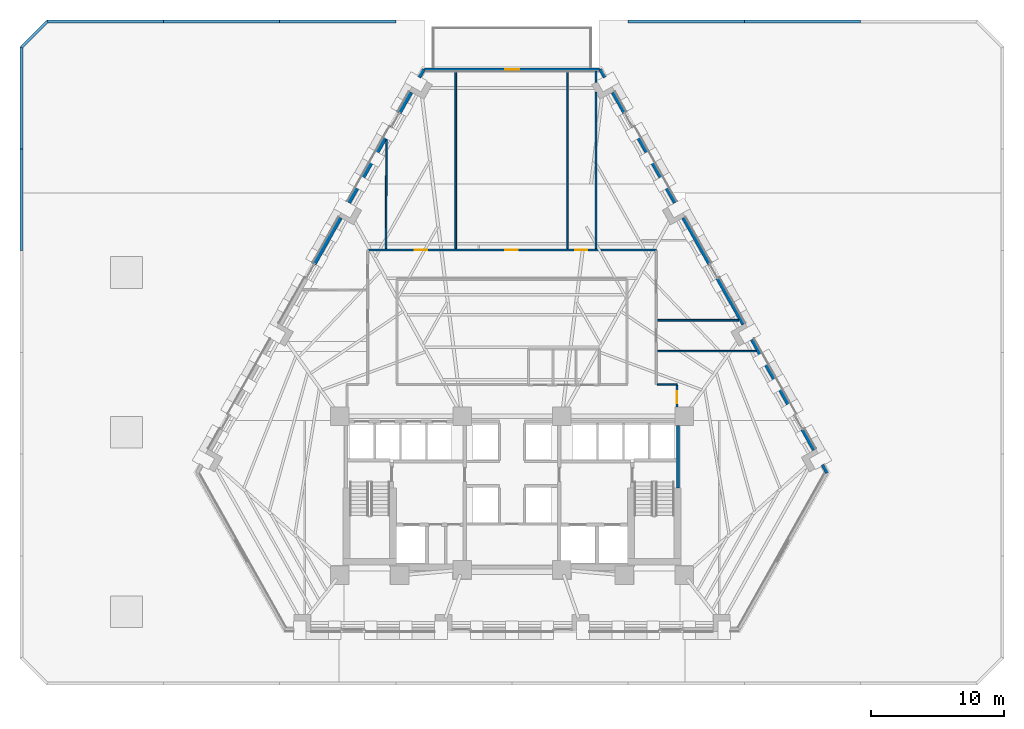
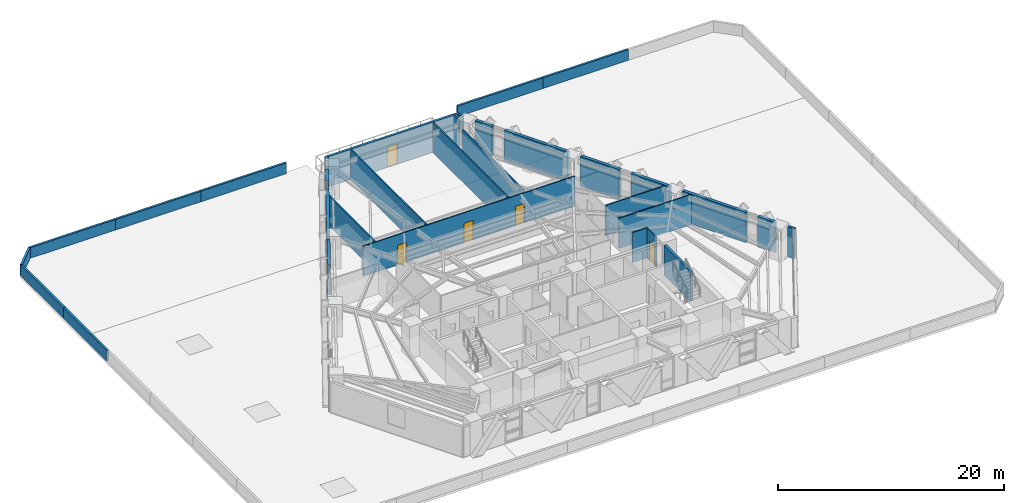
# One storey, part 10 of 14: 32 walls, 5 doors, 5 openings.
"""IFC4 building model written with IfcOpenShell, lengths in metres."""

from ifc_helpers import new_model, si_unit, direction, frame, frame_2d, origin, place, context, subcontext, project, spatial, rectangle, extrude, material, layer, layer_set, type_object, element, fill, save


model = new_model("IFC4")

# Units and contexts
model_context = context("Model", 3, precision=1e-05, world=origin(), true_north=direction((0.0, 1.0)))
body_context = subcontext(model_context, "Body", "Model", "MODEL_VIEW")
ifc_project = project(units=[si_unit("LENGTHUNIT", "METRE"), si_unit("AREAUNIT", "SQUARE_METRE"), si_unit("VOLUMEUNIT", "CUBIC_METRE"), si_unit("PLANEANGLEUNIT", "RADIAN"), si_unit("MASSUNIT", "GRAM", prefix="KILO")], contexts=[model_context])

# Site, building, storey
site_placement = place(None, origin())
site = spatial("IfcSite", under=ifc_project, at=site_placement, CompositionType="ELEMENT")
building_placement = place(site_placement, origin())
building = spatial("IfcBuilding", under=site, at=building_placement, Name="Quenlor Broadcast Tower", CompositionType="ELEMENT")
storey_placement = place(building_placement, frame((0.0, 0.0, 27.60009765625)))
storey = spatial("IfcBuildingStorey", under=building, at=storey_placement, Name="L06", CompositionType="ELEMENT", Elevation=27.60009765625)

# Walls
ifc_material_1 = material(Name="Concrete C40/50", Category="concrete")
ifc_layer_1 = layer(ifc_material_1, 0.25)
ifc_layer_set_1 = layer_set([ifc_layer_1], Name="Fire Rated Concrete C40/50 Core Wall 250")
wall_type_1 = type_object("IfcWallType", Name="Fire Rated Concrete C40/50 Core Wall 250", PredefinedType="PARTITIONING", material=ifc_layer_set_1)
wall_1_placement = place(storey_placement, frame((12.47998046875, -10.179931640625, 0.0), z_axis=(0.0, 0.0, 1.0), x_axis=(0.0, 1.0, 0.0)))
element("IfcWall", 1, at=wall_1_placement, inside=storey, type_object=wall_type_1, Name="L06 Interior Wall CW-ST2-E2", PredefinedType="PARTITIONING", context=body_context, shape_type="SweptSolid", body=[
    extrude(rectangle(XDim=4.677978515625, YDim=0.25, at=frame_2d((2.3388671875, 0.0))), origin(), (0.0, 0.0, 1.0), 3.25),
])
ifc_material_2 = material(Name="Precast concrete C40/50", Category="concrete")
ifc_layer_2 = layer(ifc_material_2, 0.219970703125)
ifc_layer_set_2 = layer_set([ifc_layer_2], Name="Podium Roof Precast Concrete C40/50 Parapet Wall 220")
wall_type_2 = type_object("IfcWallType", Name="Podium Roof Precast Concrete C40/50 Parapet Wall 220", PredefinedType="PARAPET", material=ifc_layer_set_2)
for number, where, z_axis, x_axis, name in (
    (2, (-36.889892578125, 7.651611328125, 0.0), (0.0, 0.0, 1.0), (0.0, 1.0, 0.0), "L06 Roof Parapet 6"),
    (3, (-36.889892578125, 15.302978515625, 0.0), (0.0, 0.0, 1.0), (0.0, 1.0, 0.0), "L06 Roof Parapet 7"),
):
    element("IfcWall", number, at=place(storey_placement, frame(where, z_axis=z_axis, x_axis=x_axis)), inside=storey, type_object=wall_type_2, Name=name, PredefinedType="PARAPET", context=body_context, shape_type="SweptSolid", body=[
        extrude(rectangle(XDim=7.6513671875, YDim=0.219970703125, at=frame_2d((3.82568359375, 0.0))), origin(), (0.0, 0.0, 1.0), 1.14990234375),
    ])
wall_2_placement = place(storey_placement, frame((-36.889892578125, 22.954345703125, 0.0), z_axis=(0.0, 0.0, 1.0), x_axis=(0.707106781187, 0.707106781187, 0.0)))
element("IfcWall", 4, at=wall_2_placement, inside=storey, type_object=wall_type_2, Name="L06 Roof Parapet 8", PredefinedType="PARAPET", context=body_context, shape_type="SweptSolid", body=[
    extrude(rectangle(XDim=2.7373046875, YDim=0.219970703125, at=frame_2d((1.36865234375, 0.0))), origin(), (0.0, 0.0, 1.0), 1.14990234375),
])
for number, where, z_axis, x_axis, name in (
    (5, (-34.954345703125, 24.889892578125, 0.0), (0.0, 0.0, 1.0), (1.0, 0.0, 0.0), "L06 Roof Parapet 9"),
    (6, (-26.2158203125, 24.889892578125, 0.0), (0.0, 0.0, 1.0), (1.0, 0.0, 0.0), "L06 Roof Parapet 10"),
):
    element("IfcWall", number, at=place(storey_placement, frame(where, z_axis=z_axis, x_axis=x_axis)), inside=storey, type_object=wall_type_2, Name=name, PredefinedType="PARAPET", context=body_context, shape_type="SweptSolid", body=[
        extrude(rectangle(XDim=8.738525390625, YDim=0.219970703125, at=frame_2d((4.369140625, 0.0))), origin(), (0.0, 0.0, 1.0), 1.14990234375),
    ])
for number, where, z_axis, x_axis, name in (
    (7, (-17.477294921875, 24.889892578125, 0.0), (0.0, 0.0, 1.0), (1.0, 0.0, 0.0), "L06 Roof Parapet 11"),
    (8, (8.738525390625, 24.889892578125, 0.0), (0.0, 0.0, 1.0), (1.0, 0.0, 0.0), "L06 Roof Parapet 12"),
):
    element("IfcWall", number, at=place(storey_placement, frame(where, z_axis=z_axis, x_axis=x_axis)), inside=storey, type_object=wall_type_2, Name=name, PredefinedType="PARAPET", context=body_context, shape_type="SweptSolid", body=[
        extrude(rectangle(XDim=8.73876953125, YDim=0.219970703125, at=frame_2d((4.369384765625, 0.0))), origin(), (0.0, 0.0, 1.0), 1.14990234375),
    ])
wall_3_placement = place(storey_placement, frame((17.477294921875, 24.889892578125, 0.0), z_axis=(0.0, 0.0, 1.0), x_axis=(1.0, 0.0, 0.0)))
element("IfcWall", 9, at=wall_3_placement, inside=storey, type_object=wall_type_2, Name="L06 Roof Parapet 13", PredefinedType="PARAPET", context=body_context, shape_type="SweptSolid", body=[
    extrude(rectangle(XDim=8.738525390625, YDim=0.219970703125, at=frame_2d((4.369140625, 0.0))), origin(), (0.0, 0.0, 1.0), 1.14990234375),
])

# Wall, openings, doors
ifc_material_3 = material(Name="Gypsum Plasterboard Partition", Category="other")
ifc_layer_3 = layer(ifc_material_3, 0.1201171875)
ifc_layer_set_3 = layer_set([ifc_layer_3], Name="Standard Office Partition 120")
wall_type_3 = type_object("IfcWallType", Name="Standard Office Partition 120", PredefinedType="PARTITIONING", material=ifc_layer_set_3)
wall_4_placement = place(storey_placement, frame((-10.7880859375, 7.699951171875, 0.0), z_axis=(0.0, 0.0, 1.0), x_axis=(1.0, 0.0, 0.0)))
wall_4 = element("IfcWall", 10, at=wall_4_placement, inside=storey, type_object=wall_type_3, Name="L06 Interior Wall PW-CR-03", PredefinedType="PARTITIONING", context=body_context, shape_type="SweptSolid", body=[
    extrude(rectangle(XDim=21.63818359375, YDim=0.1201171875, at=frame_2d((10.819091796875, 0.0))), origin(), (0.0, 0.0, 1.0), 3.25),
])
opening_1_placement = place(wall_4_placement, frame((10.29296875, 0.0, 0.0)))
opening_1 = element("IfcOpeningElement", 11, at=opening_1_placement, cuts=wall_4, Name="Opening ID-1", PredefinedType="OPENING", context=body_context, shape_type="SweptSolid", body=[
    extrude(rectangle(XDim=0.919921875, YDim=2.1201171875, at=frame_2d((0.4599609375, 1.06005859375))), frame((0.0, 0.070068359375, 0.0), z_axis=(0.0, -1.0, 0.0), x_axis=(1.0, 0.0, 0.0)), (0.0, 0.0, 1.0), 0.14013671875),
])
opening_2_placement = place(wall_4_placement, frame((15.5458984375, 0.0, 0.0)))
opening_2 = element("IfcOpeningElement", 12, at=opening_2_placement, cuts=wall_4, Name="Opening ID-1", PredefinedType="OPENING", context=body_context, shape_type="SweptSolid", body=[
    extrude(rectangle(XDim=0.919921875, YDim=2.1201171875, at=frame_2d((0.4599609375, 1.06005859375))), frame((0.0, 0.070068359375, 0.0), z_axis=(0.0, -1.0, 0.0), x_axis=(1.0, 0.0, 0.0)), (0.0, 0.0, 1.0), 0.14013671875),
])
opening_3_placement = place(wall_4_placement, frame((3.492919921875, 0.0, 0.0)))
opening_3 = element("IfcOpeningElement", 13, at=opening_3_placement, cuts=wall_4, Name="Opening ID-1", PredefinedType="OPENING", context=body_context, shape_type="SweptSolid", body=[
    extrude(rectangle(XDim=0.919921875, YDim=2.1201171875, at=frame_2d((0.4599609375, 1.06005859375))), frame((0.0, 0.070068359375, 0.0), z_axis=(0.0, -1.0, 0.0), x_axis=(1.0, 0.0, 0.0)), (0.0, 0.0, 1.0), 0.14013671875),
])
ifc_material_4 = material(Name="Solid Core Timber Oak", Category="wood")
door_type_1 = type_object("IfcDoorType", Name="Single Leaf Timber Office Door 920x2120", OperationType="NOTDEFINED", PredefinedType="DOOR", material=ifc_material_4)
door_1_placement = place(opening_1_placement, origin())
door_1 = element("IfcDoor", 14, at=door_1_placement, inside=storey, type_object=door_type_1, Name="L06 Door DR-RM01", OperationType="SINGLE_SWING_RIGHT", OverallHeight=2.1201171875, OverallWidth=0.919921875, PredefinedType="DOOR", context=body_context, shape_type="SweptSolid", body=[
    extrude(rectangle(XDim=0.919921875, YDim=2.1201171875, at=frame_2d((0.4599609375, 1.06005859375))), frame((0.0, 0.02490234375, 0.0), z_axis=(0.0, -1.0, 0.0), x_axis=(1.0, 0.0, 0.0)), (0.0, 0.0, 1.0), 0.050048828125),
])
fill(opening_1, door_1)
door_2_placement = place(opening_2_placement, origin())
door_2 = element("IfcDoor", 15, at=door_2_placement, inside=storey, type_object=door_type_1, Name="L06 Door DR-RM02", OperationType="SINGLE_SWING_LEFT", OverallHeight=2.1201171875, OverallWidth=0.919921875, PredefinedType="DOOR", context=body_context, shape_type="SweptSolid", body=[
    extrude(rectangle(XDim=0.919921875, YDim=2.1201171875, at=frame_2d((0.4599609375, 1.06005859375))), frame((0.0, 0.02490234375, 0.0), z_axis=(0.0, -1.0, 0.0), x_axis=(1.0, 0.0, 0.0)), (0.0, 0.0, 1.0), 0.050048828125),
])
fill(opening_2, door_2)
door_3_placement = place(opening_3_placement, origin())
door_3 = element("IfcDoor", 16, at=door_3_placement, inside=storey, type_object=door_type_1, Name="L06 Door DR-RM03", OperationType="SINGLE_SWING_RIGHT", OverallHeight=2.1201171875, OverallWidth=0.919921875, PredefinedType="DOOR", context=body_context, shape_type="SweptSolid", body=[
    extrude(rectangle(XDim=0.919921875, YDim=2.1201171875, at=frame_2d((0.4599609375, 1.06005859375))), frame((0.0, 0.02490234375, 0.0), z_axis=(0.0, -1.0, 0.0), x_axis=(1.0, 0.0, 0.0)), (0.0, 0.0, 1.0), 0.050048828125),
])
fill(opening_3, door_3)

# Wall
wall_5_placement = place(storey_placement, frame((10.912109375, -2.39990234375, 0.0), z_axis=(0.0, 0.0, 1.0), x_axis=(1.0, 0.0, 0.0)))
element("IfcWall", 17, at=wall_5_placement, inside=storey, type_object=wall_type_3, Name="L06 Interior Wall PW-CR-05", PredefinedType="PARTITIONING", context=body_context, shape_type="SweptSolid", body=[
    extrude(rectangle(XDim=1.497802734375, YDim=0.1201171875, at=frame_2d((0.7490234375, 0.0))), origin(), (0.0, 0.0, 1.0), 3.25),
])

# Wall, opening, door
wall_6_placement = place(storey_placement, frame((12.409912109375, -2.4619140625, 0.0), z_axis=(0.0, 0.0, 1.0), x_axis=(0.0, -1.0, 0.0)))
wall_6 = element("IfcWall", 18, at=wall_6_placement, inside=storey, type_object=wall_type_3, Name="L06 Interior Wall PW-CR-06", PredefinedType="PARTITIONING", context=body_context, shape_type="SweptSolid", body=[
    extrude(rectangle(XDim=1.635986328125, YDim=0.1201171875, at=frame_2d((0.81787109375, 0.0))), origin(), (0.0, 0.0, 1.0), 3.25),
])
opening_4_placement = place(wall_6_placement, frame((0.443115234375, 0.0, 0.0)))
opening_4 = element("IfcOpeningElement", 19, at=opening_4_placement, cuts=wall_6, Name="Opening ID-1", PredefinedType="OPENING", context=body_context, shape_type="SweptSolid", body=[
    extrude(rectangle(XDim=0.919921875, YDim=2.1201171875, at=frame_2d((0.4599609375, 1.06005859375))), frame((0.0, 0.070068359375, 0.0), z_axis=(0.0, -1.0, 0.0), x_axis=(1.0, 0.0, 0.0)), (0.0, 0.0, 1.0), 0.14013671875),
])
door_4_placement = place(opening_4_placement, origin())
door_4 = element("IfcDoor", 20, at=door_4_placement, inside=storey, type_object=door_type_1, Name="L06 Door DR-RM08", OperationType="SINGLE_SWING_LEFT", OverallHeight=2.1201171875, OverallWidth=0.919921875, PredefinedType="DOOR", context=body_context, shape_type="SweptSolid", body=[
    extrude(rectangle(XDim=0.919921875, YDim=2.1201171875, at=frame_2d((0.4599609375, 1.06005859375))), frame((0.0, 0.02490234375, 0.0), z_axis=(0.0, -1.0, 0.0), x_axis=(1.0, 0.0, 0.0)), (0.0, 0.0, 1.0), 0.050048828125),
])
fill(opening_4, door_4)

# Walls
for number, where, z_axis, x_axis, name in (
    (21, (4.159912109375, 21.14990234375, 0.0), (0.0, 0.0, 1.0), (0.0, -1.0, 0.0), "L06 Interior Wall PW-DV-01"),
    (22, (-4.22998046875, 7.81005859375, 0.0), (0.0, 0.0, 1.0), (0.0, 1.0, 0.0), "L06 Interior Wall PW-DV-02"),
):
    element("IfcWall", number, at=place(storey_placement, frame(where, z_axis=z_axis, x_axis=x_axis)), inside=storey, type_object=wall_type_3, Name=name, PredefinedType="PARTITIONING", context=body_context, shape_type="SweptSolid", body=[
        extrude(rectangle(XDim=13.33984375, YDim=0.1201171875, at=frame_2d((6.669921875, 0.0))), origin(), (0.0, 0.0, 1.0), 3.25),
    ])
wall_7_placement = place(storey_placement, frame((6.315185546875, 21.14990234375, 0.0), z_axis=(0.0, 0.0, 1.0), x_axis=(0.0, -1.0, 0.0)))
element("IfcWall", 23, at=wall_7_placement, inside=storey, type_object=wall_type_3, Name="L06 Interior Wall PW-DV-03", PredefinedType="PARTITIONING", context=body_context, shape_type="SweptSolid", body=[
    extrude(rectangle(XDim=0.837158203125, YDim=0.1201171875, at=frame_2d((0.41845703125, 0.0))), origin(), (0.0, 0.0, 1.0), 3.25),
])
wall_8_placement = place(storey_placement, frame((6.315185546875, 19.568115234375, 0.0), z_axis=(0.0, 0.0, 1.0), x_axis=(0.0, -1.0, 0.0)))
element("IfcWall", 24, at=wall_8_placement, inside=storey, type_object=wall_type_3, Name="L06 Interior Wall PW-DV-03S2", PredefinedType="PARTITIONING", context=body_context, shape_type="SweptSolid", body=[
    extrude(rectangle(XDim=11.758056640625, YDim=0.1201171875, at=frame_2d((5.87890625, 0.0))), origin(), (0.0, 0.0, 1.0), 2.63818359375),
])
wall_9_placement = place(storey_placement, frame((-9.479248046875, 7.81005859375, 0.0), z_axis=(0.0, 0.0, 1.0), x_axis=(0.004751037037, 0.99998871376, 0.0)))
element("IfcWall", 25, at=wall_9_placement, inside=storey, type_object=wall_type_3, Name="L06 Interior Wall PW-DV-04", PredefinedType="PARTITIONING", context=body_context, shape_type="SweptSolid", body=[
    extrude(rectangle(XDim=8.17041015625, YDim=0.1201171875, at=frame_2d((4.085205078125, 0.0))), origin(), (0.0, 0.0, 1.0), 3.25),
])
wall_10_placement = place(storey_placement, frame((17.068359375, 2.419921875, 0.0), z_axis=(0.0, 0.0, 1.0), x_axis=(-1.0, 0.0, 0.0)))
element("IfcWall", 26, at=wall_10_placement, inside=storey, type_object=wall_type_3, Name="L06 Interior Wall PW-DV-05", PredefinedType="PARTITIONING", context=body_context, shape_type="SweptSolid", body=[
    extrude(rectangle(XDim=6.1083984375, YDim=0.1201171875, at=frame_2d((3.05419921875, 0.0))), origin(), (0.0, 0.0, 1.0), 3.25),
])
wall_11_placement = place(storey_placement, frame((18.37353515625, 0.099609375, 0.0), z_axis=(0.0, 0.0, 1.0), x_axis=(-1.0, 0.0, 0.0)))
element("IfcWall", 27, at=wall_11_placement, inside=storey, type_object=wall_type_3, Name="L06 Interior Wall PW-DV-07", PredefinedType="PARTITIONING", context=body_context, shape_type="SweptSolid", body=[
    extrude(rectangle(XDim=7.41357421875, YDim=0.1201171875, at=frame_2d((3.706787109375, 0.0))), origin(), (0.0, 0.0, 1.0), 3.25),
])
ifc_material_5 = material(Name="Precast concrete C40/50", Category="concrete")
ifc_layer_4 = layer(ifc_material_5, 0.239990234375)
ifc_layer_set_4 = layer_set([ifc_layer_4], Name="Terrace Threshold Precast Concrete C40/50 Wall 240")
wall_type_4 = type_object("IfcWallType", Name="Terrace Threshold Precast Concrete C40/50 Wall 240", PredefinedType="STANDARD", material=ifc_layer_set_4)
wall_12_placement = place(storey_placement, frame((6.621826171875, 21.30126953125, 0.0), z_axis=(0.0, 0.0, 1.0), x_axis=(0.490261239633, -0.871575537125, 0.0)))
element("IfcWall", 28, at=wall_12_placement, inside=storey, type_object=wall_type_4, Name="L06 Exterior Wall L06-SHD-NES0", PredefinedType="STANDARD", context=body_context, shape_type="SweptSolid", body=[
    extrude(rectangle(XDim=0.7080078125, YDim=0.239990234375, at=frame_2d((0.35400390625, 0.0))), origin(), (0.0, 0.0, 1.0), 3.25),
])
wall_13_placement = place(storey_placement, frame((23.351806640625, -8.44091796875, 0.0), z_axis=(0.0, 0.0, 1.0), x_axis=(0.490523074758, -0.871428203084, 0.0)))
element("IfcWall", 29, at=wall_13_placement, inside=storey, type_object=wall_type_4, Name="L06 Exterior Wall L06-SHD-NES1", PredefinedType="STANDARD", context=body_context, shape_type="SweptSolid", body=[
    extrude(rectangle(XDim=0.708251953125, YDim=0.239990234375, at=frame_2d((0.35400390625, 0.0))), origin(), (0.0, 0.0, 1.0), 3.25),
])
wall_14_placement = place(storey_placement, frame((-6.968994140625, 20.68408203125, 0.0), z_axis=(0.0, 0.0, 1.0), x_axis=(0.490261239633, 0.871575537125, 0.0)))
element("IfcWall", 30, at=wall_14_placement, inside=storey, type_object=wall_type_4, Name="L06 Exterior Wall L06-SHD-NWS1", PredefinedType="STANDARD", context=body_context, shape_type="SweptSolid", body=[
    extrude(rectangle(XDim=0.7080078125, YDim=0.239990234375, at=frame_2d((0.35400390625, 0.0))), origin(), (0.0, 0.0, 1.0), 3.25),
])

# Wall, opening, door
wall_15_placement = place(storey_placement, frame((6.598388671875, 21.27197265625, 0.0), z_axis=(0.0, 0.0, 1.0), x_axis=(-1.0, 0.0, 0.0)))
wall_15 = element("IfcWall", 31, at=wall_15_placement, inside=storey, type_object=wall_type_4, Name="L06 Exterior Wall L06-CNR-02", PredefinedType="STANDARD", context=body_context, shape_type="SweptSolid", body=[
    extrude(rectangle(XDim=13.186767578125, YDim=0.239990234375, at=frame_2d((6.59326171875, 0.0))), origin(), (0.0, 0.0, 1.0), 3.25),
])
opening_5_placement = place(wall_15_placement, frame((6.068115234375, 0.0, 0.0)))
opening_5 = element("IfcOpeningElement", 32, at=opening_5_placement, cuts=wall_15, Name="Opening ED-3", PredefinedType="OPENING", context=body_context, shape_type="SweptSolid", body=[
    extrude(rectangle(XDim=1.050048828125, YDim=2.199951171875, at=frame_2d((0.52490234375, 1.10009765625))), frame((0.0, 0.1298828125, 0.0), z_axis=(0.0, -1.0, 0.0), x_axis=(1.0, 0.0, 0.0)), (0.0, 0.0, 1.0), 0.260009765625),
])
ifc_material_6 = material(Name="Anodised Aluminium and Toughened Glass", Category="aluminium")
door_type_2 = type_object("IfcDoorType", Name="Outdoor Terrace Glazed Access Door 1050x2200", OperationType="NOTDEFINED", PredefinedType="DOOR", material=ifc_material_6)
door_5_placement = place(opening_5_placement, origin())
door_5 = element("IfcDoor", 33, at=door_5_placement, inside=storey, type_object=door_type_2, Name="L06 Podium Roof Terrace Access Door", OperationType="SINGLE_SWING_RIGHT", OverallHeight=2.199951171875, OverallWidth=1.050048828125, PredefinedType="DOOR", context=body_context, shape_type="SweptSolid", body=[
    extrude(rectangle(XDim=1.050048828125, YDim=2.199951171875, at=frame_2d((0.52490234375, 1.10009765625))), frame((0.0, 0.02490234375, 0.0), z_axis=(0.0, -1.0, 0.0), x_axis=(1.0, 0.0, 0.0)), (0.0, 0.0, 1.0), 0.050048828125),
])
fill(opening_5, door_5)

# Walls
ifc_material_7 = material(Name="Precast concrete C40/50", Category="concrete")
ifc_layer_5 = layer(ifc_material_7, 0.300048828125)
ifc_layer_set_5 = layer_set([ifc_layer_5], Name="Terracotta Precast Concrete C40/50 Spandrel Wall 300")
wall_type_5 = type_object("IfcWallType", Name="Terracotta Precast Concrete C40/50 Spandrel Wall 300", PredefinedType="STANDARD", material=ifc_layer_set_5)
wall_16_placement = place(storey_placement, frame((7.5966796875, 19.568603515625, 0.0), z_axis=(0.0, 0.0, 1.0), x_axis=(0.490183206509, -0.871619426158, 0.0)))
element("IfcWall", 34, at=wall_16_placement, inside=storey, type_object=wall_type_5, Name="L06 Exterior Wall L06-NEA-SP1", PredefinedType="STANDARD", context=body_context, shape_type="SweptSolid", body=[
    extrude(rectangle(XDim=1.782470703125, YDim=0.300048828125, at=frame_2d((0.89111328125, 0.0))), origin(), (0.0, 0.0, 1.0), 3.25),
])
wall_17_placement = place(storey_placement, frame((9.0634765625, 16.9609375, 0.0), z_axis=(0.0, 0.0, 1.0), x_axis=(0.490261239633, -0.871575537125, 0.0)))
element("IfcWall", 35, at=wall_17_placement, inside=storey, type_object=wall_type_5, Name="L06 Exterior Wall L06-NEA-SP2", PredefinedType="STANDARD", context=body_context, shape_type="SweptSolid", body=[
    extrude(rectangle(XDim=6.54345703125, YDim=0.300048828125, at=frame_2d((3.271728515625, 0.0))), origin(), (0.0, 0.0, 1.0), 3.25),
])
wall_18_placement = place(storey_placement, frame((18.049560546875, 0.985595703125, 0.0), z_axis=(0.0, 0.0, 1.0), x_axis=(0.490245297262, -0.871584504516, 0.0)))
element("IfcWall", 36, at=wall_18_placement, inside=storey, type_object=wall_type_5, Name="L06 Exterior Wall L06-NEC-SP1", PredefinedType="STANDARD", context=body_context, shape_type="SweptSolid", body=[
    extrude(rectangle(XDim=6.543701171875, YDim=0.300048828125, at=frame_2d((3.27197265625, 0.0))), origin(), (0.0, 0.0, 1.0), 3.25),
])
wall_19_placement = place(storey_placement, frame((21.8505859375, -5.771728515625, 0.0), z_axis=(0.0, 0.0, 1.0), x_axis=(0.490241729391, -0.871586511348, 0.0)))
element("IfcWall", 37, at=wall_19_placement, inside=storey, type_object=wall_type_5, Name="L06 Exterior Wall L06-NEC-SP2", PredefinedType="STANDARD", context=body_context, shape_type="SweptSolid", body=[
    extrude(rectangle(XDim=1.7822265625, YDim=0.300048828125, at=frame_2d((0.89111328125, 0.0))), origin(), (0.0, 0.0, 1.0), 3.25),
])
for number, where, z_axis, x_axis, name in (
    (38, (12.90625, 10.12890625, 0.0), (0.0, 0.0, 1.0), (0.49028736482, -0.871560841191, 0.0), "L06 Exterior Wall L06-NE-SP1"),
    (39, (15.45703125, 5.594482421875, 0.0), (0.0, 0.0, 1.0), (0.49028736482, -0.871560841191, 0.0), "L06 Exterior Wall L06-NE-SP2"),
):
    element("IfcWall", number, at=place(storey_placement, frame(where, z_axis=z_axis, x_axis=x_axis)), inside=storey, type_object=wall_type_5, Name=name, PredefinedType="STANDARD", context=body_context, shape_type="SweptSolid", body=[
        extrude(rectangle(XDim=3.9931640625, YDim=0.300048828125, at=frame_2d((1.99658203125, 0.0))), origin(), (0.0, 0.0, 1.0), 3.25),
    ])
wall_20_placement = place(storey_placement, frame((-12.271484375, 11.2578125, 0.0), z_axis=(0.0, 0.0, 1.0), x_axis=(0.490261239633, 0.871575537125, 0.0)))
element("IfcWall", 40, at=wall_20_placement, inside=storey, type_object=wall_type_5, Name="L06 Exterior Wall L06-NWC-SP1", PredefinedType="STANDARD", context=body_context, shape_type="SweptSolid", body=[
    extrude(rectangle(XDim=6.54345703125, YDim=0.300048828125, at=frame_2d((3.271728515625, 0.0))), origin(), (0.0, 0.0, 1.0), 3.25),
])
wall_21_placement = place(storey_placement, frame((-8.470458984375, 18.014892578125, 0.0), z_axis=(0.0, 0.0, 1.0), x_axis=(0.490183206509, 0.871619426158, 0.0)))
element("IfcWall", 41, at=wall_21_placement, inside=storey, type_object=wall_type_5, Name="L06 Exterior Wall L06-NWC-SP2", PredefinedType="STANDARD", context=body_context, shape_type="SweptSolid", body=[
    extrude(rectangle(XDim=1.782470703125, YDim=0.300048828125, at=frame_2d((0.89111328125, 0.0))), origin(), (0.0, 0.0, 1.0), 3.25),
])
wall_22_placement = place(storey_placement, frame((-14.864013671875, 6.648681640625, 0.0), z_axis=(0.0, 0.0, 1.0), x_axis=(0.49028736482, 0.871560841191, 0.0)))
element("IfcWall", 42, at=wall_22_placement, inside=storey, type_object=wall_type_5, Name="L06 Exterior Wall L06-NW-SP2", PredefinedType="STANDARD", context=body_context, shape_type="SweptSolid", body=[
    extrude(rectangle(XDim=3.9931640625, YDim=0.300048828125, at=frame_2d((1.99658203125, 0.0))), origin(), (0.0, 0.0, 1.0), 3.25),
])

save(model, "model.ifc")
